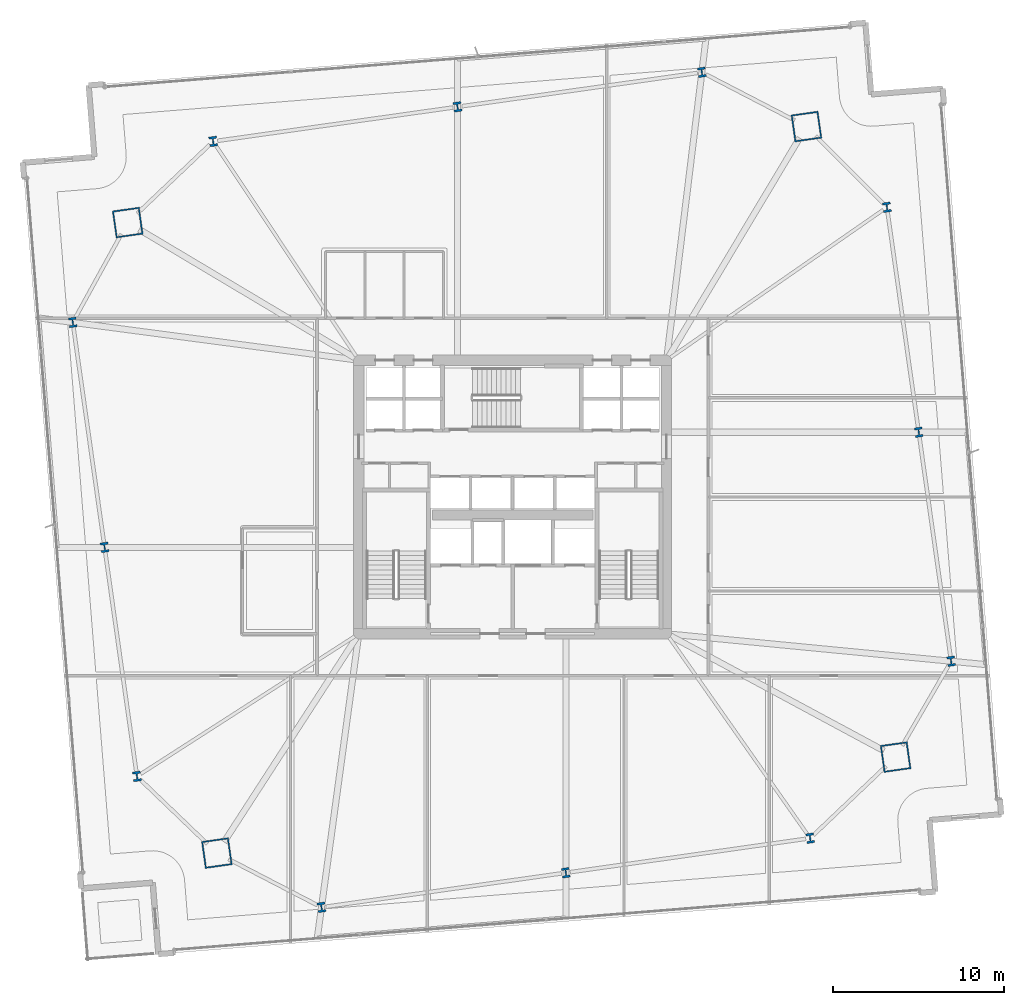
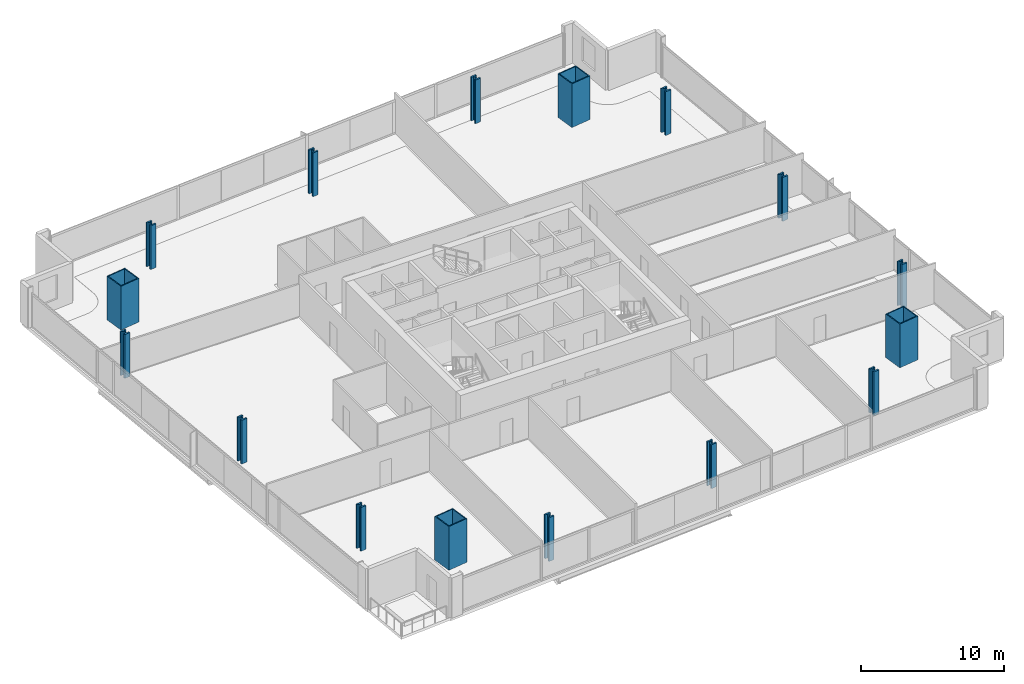
# One storey, part 1 of 33: 16 columns.
"""IFC4 building model written with IfcOpenShell, lengths in metres."""

import ifcopenshell
import ifcopenshell.guid

model = None  # the IFC model being written
_history = None  # IfcOwnerHistory: only IFC2X3 demands one
_inside = {}  # id of a spatial element -> (the spatial element, [elements in it])
_under = {}  # id of a project, library or spatial element -> (it, [spatial elements below it])
_declared = {}  # id of a project -> (the project, [libraries it declares])
_typed = {}  # id of a type object -> (the type object, [elements of that type])
_made_of = {}  # id of a material, layer set ... -> (it, [elements and type objects made of it])


def new_model(schema):
    """Start an empty IFC model of exactly this schema.

    Asked for "IFC4X3", IfcOpenShell would pick the latest addendum, in which some entities
    have other attributes; the version numbers below select the first issue.
    IFC2X3 requires an IfcOwnerHistory on every rooted entity: one is made here for all.
    """
    global model, _history
    if schema == "IFC4X3":
        model = ifcopenshell.file(schema_version=(4, 3, 0, 0))
    else:
        model = ifcopenshell.file(schema=schema)
    _inside.clear()
    _under.clear()
    _declared.clear()
    _typed.clear()
    _made_of.clear()
    _history = None
    if model.schema == "IFC2X3":
        org = make("IfcOrganization", Name="unknown")
        user = make(
            "IfcPersonAndOrganization",
            ThePerson=make("IfcPerson", FamilyName="unknown"),
            TheOrganization=org,
        )
        app = make(
            "IfcApplication",
            ApplicationDeveloper=org,
            Version="unknown",
            ApplicationFullName="unknown",
            ApplicationIdentifier="unknown",
        )
        _history = make(
            "IfcOwnerHistory",
            OwningUser=user,
            OwningApplication=app,
            ChangeAction="ADDED",
            CreationDate=0,
        )
    return model


def make(cls, **values):
    """One entity of the class cls with the attributes given. An attribute that is None is left unset."""
    return model.create_entity(
        cls, **{name: value for name, value in values.items() if value is not None}
    )


def rooted(cls, **values):
    """An entity with a GlobalId (a new one), such as an element, a storey or a relation."""
    return make(cls, GlobalId=ifcopenshell.guid.new(), OwnerHistory=_history, **values)


def si_unit(unit_type, name, prefix=None):
    """IfcSIUnit, for example si_unit("LENGTHUNIT", "METRE", prefix="MILLI")."""
    return make("IfcSIUnit", UnitType=unit_type, Prefix=prefix, Name=name)


def assignment(units):
    """IfcUnitAssignment: the units of a project."""
    return None if units is None else make("IfcUnitAssignment", Units=units)


def point(xyz):
    """IfcCartesianPoint."""
    return None if xyz is None else make("IfcCartesianPoint", Coordinates=xyz)


def direction(xyz):
    """IfcDirection."""
    return None if xyz is None else make("IfcDirection", DirectionRatios=xyz)


def frame(location, z_axis=None, x_axis=None):
    """IfcAxis2Placement3D, a coordinate frame: its origin and axes. An axis left out is left unset."""
    return make(
        "IfcAxis2Placement3D",
        Location=point(location),
        Axis=direction(z_axis),
        RefDirection=direction(x_axis),
    )


def frame_2d(location, x_axis=None):
    """IfcAxis2Placement2D, a coordinate frame in the plane: its origin and x axis."""
    return make(
        "IfcAxis2Placement2D", Location=point(location), RefDirection=direction(x_axis)
    )


def origin():
    """The frame at (0, 0, 0) with its axes left unset."""
    return frame((0.0, 0.0, 0.0))


def origin_2d():
    """The frame at (0, 0) in the plane with its x axis left unset."""
    return frame_2d((0.0, 0.0))


def place(relative_to, where):
    """IfcLocalPlacement: puts the frame where relative to a parent placement (None: the world)."""
    return make(
        "IfcLocalPlacement", PlacementRelTo=relative_to, RelativePlacement=where
    )


def context(
    kind, dimensions, precision=None, world=None, true_north=None, identifier=None
):
    """IfcGeometricRepresentationContext, for example the 3D "Model" context."""
    return make(
        "IfcGeometricRepresentationContext",
        ContextIdentifier=identifier,
        ContextType=kind,
        CoordinateSpaceDimension=dimensions,
        Precision=precision,
        WorldCoordinateSystem=world,
        TrueNorth=true_north,
    )


def subcontext(parent, identifier, kind, view, scale=None):
    """IfcGeometricRepresentationSubContext, for example "Body" below "Model"."""
    return make(
        "IfcGeometricRepresentationSubContext",
        ContextIdentifier=identifier,
        ContextType=kind,
        ParentContext=parent,
        TargetScale=scale,
        TargetView=view,
    )


def project(units=None, contexts=None):
    """IfcProject with its units and contexts."""
    return rooted(
        "IfcProject",
        Name="project",
        RepresentationContexts=contexts,
        UnitsInContext=assignment(units),
    )


def spatial(cls, under=None, at=None, **own):
    """A site, building, storey or space (cls), placed at a placement, below another one or the project."""
    s = rooted(cls, ObjectPlacement=at, **own)
    if under is not None:
        _under.setdefault(under.id(), (under, []))[1].append(s)
    return s


def profile(cls, at=None, kind="AREA", **sizes):
    """A parametric profile (cls). Its sizes go by their IFC names, for example OverallWidth=200.0."""
    return make(cls, ProfileType=kind, Position=at, **sizes)


def hollow_rectangle(**sizes):
    """IfcRectangleHollowProfileDef."""
    return profile("IfcRectangleHollowProfileDef", **sizes)


def i_section(**sizes):
    """IfcIShapeProfileDef."""
    return profile("IfcIShapeProfileDef", **sizes)


def extrude(swept, where, along, depth):
    """IfcExtrudedAreaSolid: the profile swept, set in the frame where, extruded along a direction by depth."""
    return make(
        "IfcExtrudedAreaSolid",
        SweptArea=swept,
        Position=where,
        ExtrudedDirection=direction(along),
        Depth=depth,
    )


def shape(context_of_items, identifier, shape_type, items):
    """IfcShapeRepresentation: the items that make up one representation, for example the "Body"."""
    return make(
        "IfcShapeRepresentation",
        ContextOfItems=context_of_items,
        RepresentationIdentifier=identifier,
        RepresentationType=shape_type,
        Items=items,
    )


def material(Name=None, Category=None):
    """IfcMaterial."""
    return make("IfcMaterial", Name=Name, Category=Category)


def material_profile(
    of_material, cross_section, Name=None, Category=None, Priority=None
):
    """IfcMaterialProfile: a cross section and its material."""
    return make(
        "IfcMaterialProfile",
        Name=Name,
        Material=of_material,
        Profile=cross_section,
        Priority=Priority,
        Category=Category,
    )


def profile_set(profiles, Name=None, composite=None):
    """IfcMaterialProfileSet."""
    return make(
        "IfcMaterialProfileSet",
        Name=Name,
        MaterialProfiles=profiles,
        CompositeProfile=composite,
    )


def made_of(thing, what):
    """Note that an element or type object is made of a material, layer set ...; save() writes the relation."""
    if what is not None:
        _made_of.setdefault(what.id(), (what, []))[1].append(thing)
    return thing


def type_object(cls, material=None, **own):
    """A type object (cls), such as IfcWallType, which elements share."""
    return made_of(rooted(cls, **own), material)


def element(
    cls,
    number,
    at=None,
    inside=None,
    cuts=None,
    type_object=None,
    material=None,
    context=None,
    identifier="Body",
    shape_type=None,
    held_by="IfcProductDefinitionShape",
    body=None,
    shapes=None,
    **own,
):
    """One element of the class cls, such as IfcWall. Its Tag is "e" and its number.

    at: its placement. inside: the storey or other place that contains it. cuts: it is an
    opening in that element (IfcRelVoidsElement). A single representation is given by context,
    identifier, shape_type and body (its items); several are given by shapes. held_by: the class
    of the entity that holds the representations. save() writes the other relations.
    """
    e = rooted(cls, Tag="e%d" % number, ObjectPlacement=at, **own)
    if body is not None:
        shapes = [shape(context, identifier, shape_type, body)]
    if shapes is not None:
        e.Representation = make(held_by, Representations=shapes)
    if inside is not None:
        _inside.setdefault(inside.id(), (inside, []))[1].append(e)
    if cuts is not None:
        rooted(
            "IfcRelVoidsElement", RelatingBuildingElement=cuts, RelatedOpeningElement=e
        )
    if type_object is not None:
        _typed.setdefault(type_object.id(), (type_object, []))[1].append(e)
    return made_of(e, material)


def aggregate(whole, parts):
    """IfcRelAggregates: a whole, such as a stair, and the parts it consists of."""
    return rooted("IfcRelAggregates", RelatingObject=whole, RelatedObjects=parts)


def save(model, path):
    """Write the relations noted so far, then the file.

    IfcRelAggregates (storeys below a building ...), IfcRelContainedInSpatialStructure (elements
    in a storey), IfcRelDefinesByType, IfcRelAssociatesMaterial and IfcRelDeclares: one each for
    every whole, place, type object, material and project.
    """
    for whole, parts in _under.values():
        aggregate(whole, parts)
    for where, things in _inside.values():
        rooted(
            "IfcRelContainedInSpatialStructure",
            RelatedElements=things,
            RelatingStructure=where,
        )
    for kind, things in _typed.values():
        rooted("IfcRelDefinesByType", RelatedObjects=things, RelatingType=kind)
    for what, things in _made_of.values():
        rooted("IfcRelAssociatesMaterial", RelatedObjects=things, RelatingMaterial=what)
    for by, libraries in _declared.values():
        rooted("IfcRelDeclares", RelatingContext=by, RelatedDefinitions=libraries)
    model.write(path)


model = new_model("IFC4")

# Units and contexts
model_context = context("Model", 3, precision=1e-05, world=origin(), true_north=direction((0.0, 1.0)))
body_context = subcontext(model_context, "Body", "Model", "MODEL_VIEW")
ifc_project = project(units=[si_unit("LENGTHUNIT", "METRE"), si_unit("AREAUNIT", "SQUARE_METRE"), si_unit("VOLUMEUNIT", "CUBIC_METRE"), si_unit("PLANEANGLEUNIT", "RADIAN"), si_unit("MASSUNIT", "GRAM", prefix="KILO")], contexts=[model_context])

# Site, building, storey
site_placement = place(None, origin())
site = spatial("IfcSite", under=ifc_project, at=site_placement, CompositionType="ELEMENT")
building_placement = place(site_placement, origin())
building = spatial("IfcBuilding", under=site, at=building_placement, Name="Haldenkirk Collegiate Tower", CompositionType="ELEMENT")
storey_placement = place(building_placement, frame((0.0, 0.0, 43.949951171875)))
storey = spatial("IfcBuildingStorey", under=building, at=storey_placement, Name="L09", CompositionType="ELEMENT", Elevation=43.949951171875)

# Columns
ifc_material_1 = material(Name="Steel ASTM A913 Grade 65", Category="steel")
ifc_material_profile_1 = material_profile(ifc_material_1, i_section(OverallWidth=0.4541015625, OverallDepth=0.569091796875, WebThickness=0.077880859375, FlangeThickness=0.124755859375, at=origin_2d()), Name="W14X730")
ifc_profile_set_1 = profile_set([ifc_material_profile_1], Name="Steel ASTM A913 Grade 65")
column_type_1 = type_object("IfcColumnType", Name="COL-INT-W14X730", PredefinedType="COLUMN", material=ifc_profile_set_1)
for number, where, z_axis, x_axis, name in (
    (1, (24.815185546875, 1.997314453125, 0.0), (0.0, 0.0, 1.0), (0.990146240249, 0.140037219771, 0.0), "L09 perimeter gravity column PC-S1"),
    (2, (39.10888671875, 4.018798828125, 0.0), (0.0, 0.0, 1.0), (0.990146240249, 0.140037219771, 0.0), "L09 perimeter gravity column PC-S2"),
    (3, (53.402587890625, 6.040283203125, 0.0), (0.0, 0.0, 1.0), (0.990146240249, 0.140037219771, 0.0), "L09 perimeter gravity column PC-S3"),
    (4, (61.648193359375, 16.39306640625, 0.0), (0.0, 0.0, 1.0), (0.990146240249, 0.140037219771, 0.0), "L09 perimeter gravity column PC-E1"),
    (5, (59.75341796875, 29.788818359375, 0.0), (0.0, 0.0, 1.0), (0.990146240249, 0.140037219771, 0.0), "L09 perimeter gravity column PC-E2"),
    (6, (57.892333984375, 42.94873046875, 0.0), (0.0, 0.0, 1.0), (0.990146240249, 0.140037219771, 0.0), "L09 perimeter gravity column PC-E3"),
    (7, (47.06591796875, 50.844482421875, 0.0), (0.0, 0.0, 1.0), (0.990146240249, 0.140037219771, 0.0), "L09 perimeter gravity column PC-N1"),
    (8, (32.772216796875, 48.822998046875, 0.0), (0.0, 0.0, 1.0), (0.990146240249, 0.140037219771, 0.0), "L09 perimeter gravity column PC-N2"),
    (9, (18.478515625, 46.80126953125, 0.0), (0.0, 0.0, 1.0), (0.990146240249, 0.140037219771, 0.0), "L09 perimeter gravity column PC-N3"),
    (10, (10.26611328125, 36.212890625, 0.0), (0.0, 0.0, 1.0), (0.990146240249, 0.140037219771, 0.0), "L09 perimeter gravity column PC-W1"),
    (11, (12.12744140625, 23.052978515625, 0.0), (0.0, 0.0, 1.0), (0.990146240249, 0.140037219771, 0.0), "L09 perimeter gravity column PC-W2"),
    (12, (14.02197265625, 9.6572265625, 0.0), (0.0, 0.0, 1.0), (0.990146240249, 0.140037219771, 0.0), "L09 perimeter gravity column PC-W3"),
):
    element("IfcColumn", number, at=place(storey_placement, frame(where, z_axis=z_axis, x_axis=x_axis)), inside=storey, type_object=column_type_1, Name=name, PredefinedType="COLUMN", context=body_context, shape_type="SweptSolid", body=[
        extrude(i_section(OverallWidth=0.4541015625, OverallDepth=0.569091796875, WebThickness=0.077880859375, FlangeThickness=0.124755859375, at=origin_2d()), origin(), (0.0, 0.0, 1.0), 3.75),
    ])
ifc_material_2 = material(Name="Steel ASTM A572 Grade 50", Category="steel")
ifc_material_profile_2 = material_profile(ifc_material_2, hollow_rectangle(XDim=1.60009765625, YDim=1.60009765625, WallThickness=0.080078125, at=origin_2d()), Name="BOX1600X1600X80")
ifc_profile_set_2 = profile_set([ifc_material_profile_2], Name="Steel ASTM A572 Grade 50")
column_type_2 = type_object("IfcColumnType", Name="COL-MEGA-BOX1600X1600X80", PredefinedType="COLUMN", material=ifc_profile_set_2)
for number, where, z_axis, x_axis, name in (
    (13, (18.6962890625, 5.171630859375, 0.0), (0.0, 0.0, 1.0), (0.990146240249, 0.140037219771, 0.0), "L09 corner mega-column MC1"),
    (14, (58.401123046875, 10.787109375, 0.0), (0.0, 0.0, 1.0), (0.990146240249, 0.140037219771, 0.0), "L09 corner mega-column MC2"),
    (15, (53.184814453125, 47.669921875, 0.0), (0.0, 0.0, 1.0), (0.990146240249, 0.140037219771, 0.0), "L09 corner mega-column MC3"),
    (16, (13.47998046875, 42.054443359375, 0.0), (0.0, 0.0, 1.0), (0.990146240249, 0.140037219771, 0.0), "L09 corner mega-column MC4"),
):
    element("IfcColumn", number, at=place(storey_placement, frame(where, z_axis=z_axis, x_axis=x_axis)), inside=storey, type_object=column_type_2, Name=name, PredefinedType="COLUMN", context=body_context, shape_type="SweptSolid", body=[
        extrude(hollow_rectangle(XDim=1.60009765625, YDim=1.60009765625, WallThickness=0.080078125, at=origin_2d()), origin(), (0.0, 0.0, 1.0), 3.75),
    ])

save(model, "model.ifc")
